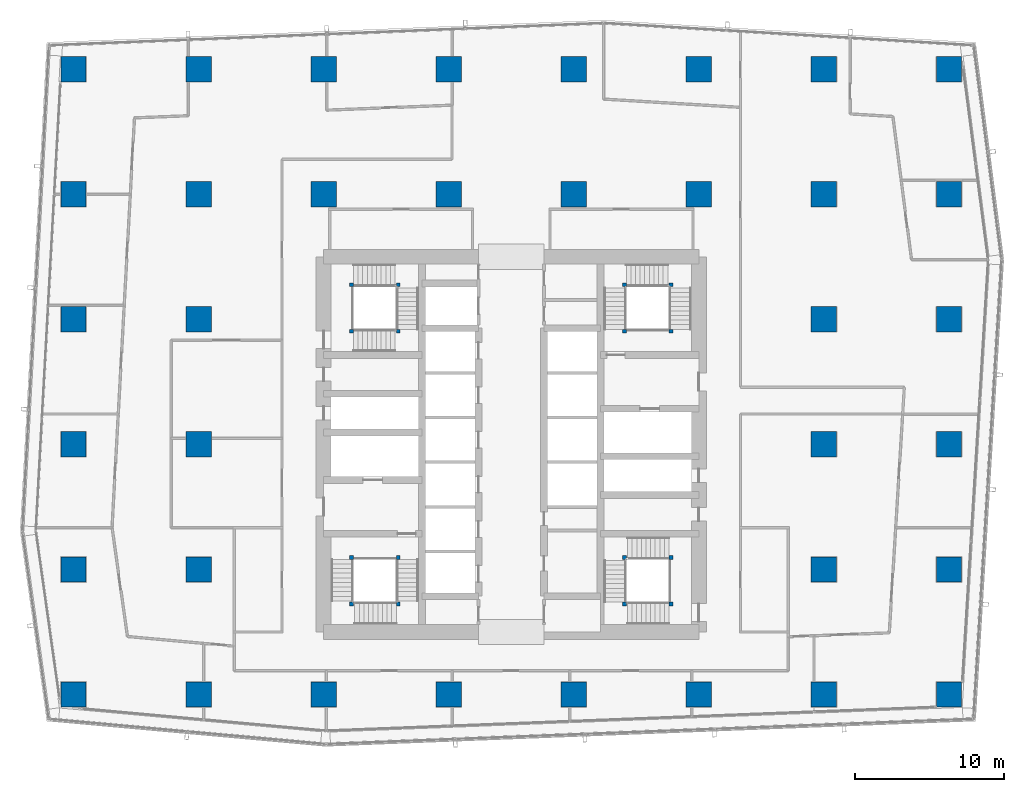
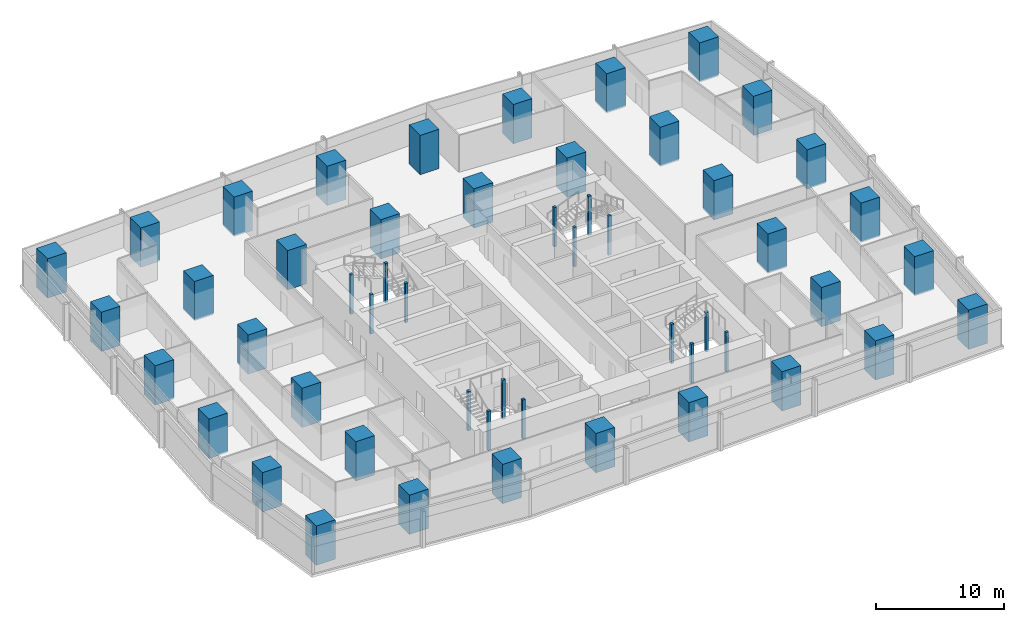
# One storey, part 1 of 40: 52 columns.
"""IFC4 building model written with IfcOpenShell, lengths in metres."""

from ifc_helpers import new_model, si_unit, direction, frame, origin, origin_2d, place, context, subcontext, project, spatial, rectangle, extrude, material, material_profile, profile_set, type_object, element, save


model = new_model("IFC4")

# Units and contexts
model_context = context("Model", 3, precision=1e-05, world=origin(), true_north=direction((0.0, 1.0)))
body_context = subcontext(model_context, "Body", "Model", "MODEL_VIEW")
ifc_project = project(units=[si_unit("LENGTHUNIT", "METRE"), si_unit("AREAUNIT", "SQUARE_METRE"), si_unit("VOLUMEUNIT", "CUBIC_METRE"), si_unit("PLANEANGLEUNIT", "RADIAN"), si_unit("MASSUNIT", "GRAM", prefix="KILO")], contexts=[model_context])

# Site, building, storey
site_placement = place(None, origin())
site = spatial("IfcSite", under=ifc_project, at=site_placement, CompositionType="ELEMENT")
building_placement = place(site_placement, origin())
building = spatial("IfcBuilding", under=site, at=building_placement, Name="Rekha Terrace Tower", CompositionType="ELEMENT")
storey_placement = place(building_placement, frame((0.0, 0.0, 132.800048828125)))
storey = spatial("IfcBuildingStorey", under=building, at=storey_placement, Name="L33", CompositionType="ELEMENT", Elevation=132.800048828125)

# Columns
ifc_material_1 = material(Name="Concrete M70", Category="concrete")
ifc_material_profile_1 = material_profile(ifc_material_1, rectangle(XDim=1.699951171875, YDim=1.699951171875, at=origin_2d()), Name="RC 1700x1700")
ifc_profile_set_1 = profile_set([ifc_material_profile_1], Name="Concrete M70")
column_type_1 = type_object("IfcColumnType", Name="C3 1700x1700 column", PredefinedType="COLUMN", material=ifc_profile_set_1)
for number, where, z_axis, x_axis, name in (
    (1, (8.39990234375, 16.800048828125, 0.0), (0.0, 0.0, 1.0), (1.0, 0.0, 0.0), "Column C3 2/C L33"),
    (2, (8.39990234375, 25.199951171875, 0.0), (0.0, 0.0, 1.0), (1.0, 0.0, 0.0), "Column C3 2/D L33"),
    (3, (8.39990234375, 33.60009765625, 0.0), (0.0, 0.0, 1.0), (1.0, 0.0, 0.0), "Column C3 2/E L33"),
    (4, (8.39990234375, 42.0, 0.0), (0.0, 0.0, 1.0), (1.0, 0.0, 0.0), "Column C3 2/F L33"),
    (5, (8.39990234375, 50.39990234375, 0.0), (0.0, 0.0, 1.0), (1.0, 0.0, 0.0), "Column C3 2/G L33"),
    (6, (8.39990234375, 58.800048828125, 0.0), (0.0, 0.0, 1.0), (1.0, 0.0, 0.0), "Column C3 2/H L33"),
    (7, (16.800048828125, 16.800048828125, 0.0), (0.0, 0.0, 1.0), (1.0, 0.0, 0.0), "Column C3 3/C L33"),
    (8, (16.800048828125, 25.199951171875, 0.0), (0.0, 0.0, 1.0), (1.0, 0.0, 0.0), "Column C3 3/D L33"),
    (9, (16.800048828125, 33.60009765625, 0.0), (0.0, 0.0, 1.0), (1.0, 0.0, 0.0), "Column C3 3/E L33"),
    (10, (16.800048828125, 42.0, 0.0), (0.0, 0.0, 1.0), (1.0, 0.0, 0.0), "Column C3 3/F L33"),
    (11, (16.800048828125, 50.39990234375, 0.0), (0.0, 0.0, 1.0), (1.0, 0.0, 0.0), "Column C3 3/G L33"),
    (12, (16.800048828125, 58.800048828125, 0.0), (0.0, 0.0, 1.0), (1.0, 0.0, 0.0), "Column C3 3/H L33"),
    (13, (25.199951171875, 16.800048828125, 0.0), (0.0, 0.0, 1.0), (1.0, 0.0, 0.0), "Column C3 4/C L33"),
    (14, (25.199951171875, 50.39990234375, 0.0), (0.0, 0.0, 1.0), (1.0, 0.0, 0.0), "Column C3 4/G L33"),
    (15, (25.199951171875, 58.800048828125, 0.0), (0.0, 0.0, 1.0), (1.0, 0.0, 0.0), "Column C3 4/H L33"),
    (16, (33.60009765625, 16.800048828125, 0.0), (0.0, 0.0, 1.0), (1.0, 0.0, 0.0), "Column C3 5/C L33"),
    (17, (33.60009765625, 50.39990234375, 0.0), (0.0, 0.0, 1.0), (1.0, 0.0, 0.0), "Column C3 5/G L33"),
    (18, (33.60009765625, 58.800048828125, 0.0), (0.0, 0.0, 1.0), (1.0, 0.0, 0.0), "Column C3 5/H L33"),
    (19, (42.0, 16.800048828125, 0.0), (0.0, 0.0, 1.0), (1.0, 0.0, 0.0), "Column C3 6/C L33"),
    (20, (42.0, 50.39990234375, 0.0), (0.0, 0.0, 1.0), (1.0, 0.0, 0.0), "Column C3 6/G L33"),
    (21, (42.0, 58.800048828125, 0.0), (0.0, 0.0, 1.0), (1.0, 0.0, 0.0), "Column C3 6/H L33"),
    (22, (50.39990234375, 16.800048828125, 0.0), (0.0, 0.0, 1.0), (1.0, 0.0, 0.0), "Column C3 7/C L33"),
    (23, (50.39990234375, 50.39990234375, 0.0), (0.0, 0.0, 1.0), (1.0, 0.0, 0.0), "Column C3 7/G L33"),
    (24, (50.39990234375, 58.800048828125, 0.0), (0.0, 0.0, 1.0), (1.0, 0.0, 0.0), "Column C3 7/H L33"),
    (25, (58.800048828125, 16.800048828125, 0.0), (0.0, 0.0, 1.0), (1.0, 0.0, 0.0), "Column C3 8/C L33"),
    (26, (58.800048828125, 25.199951171875, 0.0), (0.0, 0.0, 1.0), (1.0, 0.0, 0.0), "Column C3 8/D L33"),
    (27, (58.800048828125, 33.60009765625, 0.0), (0.0, 0.0, 1.0), (1.0, 0.0, 0.0), "Column C3 8/E L33"),
    (28, (58.800048828125, 42.0, 0.0), (0.0, 0.0, 1.0), (1.0, 0.0, 0.0), "Column C3 8/F L33"),
    (29, (58.800048828125, 50.39990234375, 0.0), (0.0, 0.0, 1.0), (1.0, 0.0, 0.0), "Column C3 8/G L33"),
    (30, (58.800048828125, 58.800048828125, 0.0), (0.0, 0.0, 1.0), (1.0, 0.0, 0.0), "Column C3 8/H L33"),
    (31, (67.199951171875, 16.800048828125, 0.0), (0.0, 0.0, 1.0), (1.0, 0.0, 0.0), "Column C3 9/C L33"),
    (32, (67.199951171875, 25.199951171875, 0.0), (0.0, 0.0, 1.0), (1.0, 0.0, 0.0), "Column C3 9/D L33"),
    (33, (67.199951171875, 33.60009765625, 0.0), (0.0, 0.0, 1.0), (1.0, 0.0, 0.0), "Column C3 9/E L33"),
    (34, (67.199951171875, 42.0, 0.0), (0.0, 0.0, 1.0), (1.0, 0.0, 0.0), "Column C3 9/F L33"),
    (35, (67.199951171875, 50.39990234375, 0.0), (0.0, 0.0, 1.0), (1.0, 0.0, 0.0), "Column C3 9/G L33"),
    (36, (67.199951171875, 58.800048828125, 0.0), (0.0, 0.0, 1.0), (1.0, 0.0, 0.0), "Column C3 9/H L33"),
):
    element("IfcColumn", number, at=place(storey_placement, frame(where, z_axis=z_axis, x_axis=x_axis)), inside=storey, type_object=column_type_1, Name=name, PredefinedType="COLUMN", context=body_context, shape_type="SweptSolid", body=[
        extrude(rectangle(XDim=1.699951171875, YDim=1.699951171875, at=origin_2d()), origin(), (0.0, 0.0, 1.0), 3.75),
    ])
ifc_material_2 = material(Name="Concrete M60", Category="concrete")
ifc_material_profile_2 = material_profile(ifc_material_2, rectangle(XDim=0.25, YDim=0.25, at=origin_2d()), Name="RC 250x250")
ifc_profile_set_2 = profile_set([ifc_material_profile_2], Name="Concrete M60")
column_type_2 = type_object("IfcColumnType", Name="NP1 250x250 stair newel post", PredefinedType="COLUMN", material=ifc_profile_set_2)
for number, where, z_axis, x_axis, name in (
    (37, (30.199951171875, 26.0, 0.0), (0.0, 0.0, 1.0), (1.0, 0.0, 0.0), "Stair newel post NP1"),
    (38, (30.199951171875, 22.875, 0.0), (0.0, 0.0, 1.0), (1.0, 0.0, 0.0), "Stair newel post NP1"),
    (39, (27.074951171875, 22.875, 0.0), (0.0, 0.0, 1.0), (1.0, 0.0, 0.0), "Stair newel post NP1"),
    (40, (27.074951171875, 26.0, 0.0), (0.0, 0.0, 1.0), (1.0, 0.0, 0.0), "Stair newel post NP1"),
    (41, (45.39990234375, 41.199951171875, 0.0), (0.0, 0.0, 1.0), (1.0, 0.0, 0.0), "Stair newel post NP1"),
    (42, (45.39990234375, 44.324951171875, 0.0), (0.0, 0.0, 1.0), (1.0, 0.0, 0.0), "Stair newel post NP1"),
    (43, (48.52490234375, 44.324951171875, 0.0), (0.0, 0.0, 1.0), (1.0, 0.0, 0.0), "Stair newel post NP1"),
    (44, (48.52490234375, 41.199951171875, 0.0), (0.0, 0.0, 1.0), (1.0, 0.0, 0.0), "Stair newel post NP1"),
    (45, (48.52490234375, 22.875, 0.0), (0.0, 0.0, 1.0), (1.0, 0.0, 0.0), "Stair newel post NP1"),
    (46, (45.39990234375, 22.875, 0.0), (0.0, 0.0, 1.0), (1.0, 0.0, 0.0), "Stair newel post NP1"),
    (47, (45.39990234375, 26.0, 0.0), (0.0, 0.0, 1.0), (1.0, 0.0, 0.0), "Stair newel post NP1"),
    (48, (48.52490234375, 26.0, 0.0), (0.0, 0.0, 1.0), (1.0, 0.0, 0.0), "Stair newel post NP1"),
    (49, (27.074951171875, 41.199951171875, 0.0), (0.0, 0.0, 1.0), (1.0, 0.0, 0.0), "Stair newel post NP1"),
    (50, (30.199951171875, 41.199951171875, 0.0), (0.0, 0.0, 1.0), (1.0, 0.0, 0.0), "Stair newel post NP1"),
    (51, (30.199951171875, 44.324951171875, 0.0), (0.0, 0.0, 1.0), (1.0, 0.0, 0.0), "Stair newel post NP1"),
    (52, (27.074951171875, 44.324951171875, 0.0), (0.0, 0.0, 1.0), (1.0, 0.0, 0.0), "Stair newel post NP1"),
):
    element("IfcColumn", number, at=place(storey_placement, frame(where, z_axis=z_axis, x_axis=x_axis)), inside=storey, type_object=column_type_2, Name=name, PredefinedType="COLUMN", context=body_context, shape_type="SweptSolid", body=[
        extrude(rectangle(XDim=0.25, YDim=0.25, at=origin_2d()), origin(), (0.0, 0.0, 1.0), 3.75),
    ])

save(model, "model.ifc")
